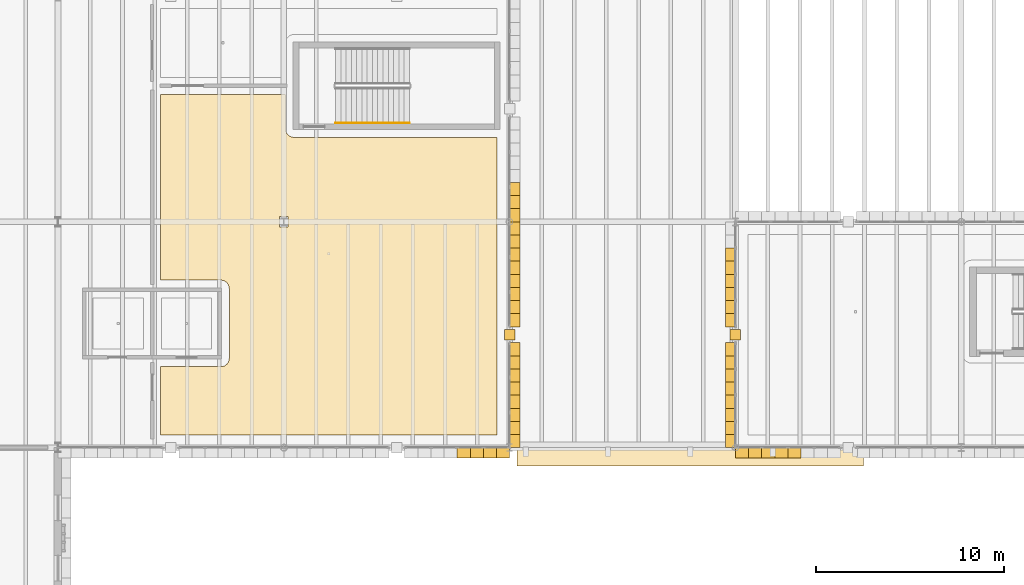
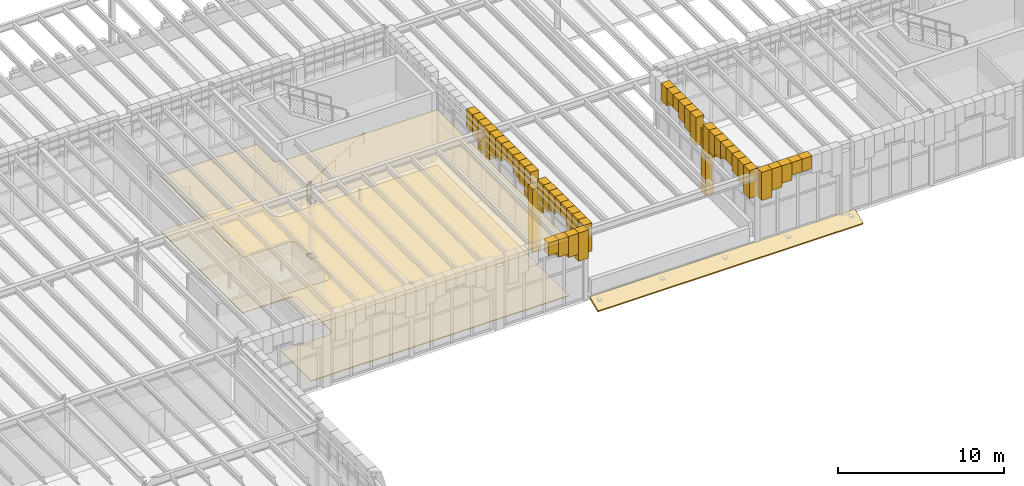
# One storey, part 79 of 100: 47 coverings, 1 railing.
"""IFC4 building model written with IfcOpenShell, lengths in metres."""

from ifc_helpers import new_model, si_unit, direction, frame, origin, origin_2d, place, context, subcontext, project, spatial, polyline, circle, outline, extrude, material, layer, layer_set, type_object, element, save


model = new_model("IFC4")

# Units and contexts
model_context = context("Model", 3, precision=1e-05, world=origin(), true_north=direction((0.0, 1.0)))
body_context = subcontext(model_context, "Body", "Model", "MODEL_VIEW")
ifc_project = project(units=[si_unit("LENGTHUNIT", "METRE"), si_unit("AREAUNIT", "SQUARE_METRE"), si_unit("VOLUMEUNIT", "CUBIC_METRE"), si_unit("PLANEANGLEUNIT", "RADIAN"), si_unit("MASSUNIT", "GRAM", prefix="KILO")], contexts=[model_context])

# Site, building, storey
site_placement = place(None, origin())
site = spatial("IfcSite", under=ifc_project, at=site_placement, CompositionType="ELEMENT")
building_placement = place(site_placement, origin())
building = spatial("IfcBuilding", under=site, at=building_placement, Name="Zlatogorsky Bluff Art Gallery", CompositionType="ELEMENT")
storey_placement = place(building_placement, frame((0.0, 0.0, 5.39990234375)))
storey = spatial("IfcBuildingStorey", under=building, at=storey_placement, Name="L01", CompositionType="ELEMENT", Elevation=5.39990234375)

# Coverings
ifc_material_1 = material(Name="Perforated Gypsum Acoustic Board", Category="gypsum")
ifc_layer_1 = layer(ifc_material_1, 0.0400390625)
ifc_layer_set_1 = layer_set([ifc_layer_1], Name="Acoustic Gallery Ceiling CLG-01")
covering_type_1 = type_object("IfcCoveringType", Name="Acoustic Gallery Ceiling CLG-01", PredefinedType="CEILING", material=ifc_layer_set_1)
covering_1_placement = place(storey_placement, frame((0.0, 0.0, 4.050048828125)))
element("IfcCovering", 1, at=covering_1_placement, inside=storey, type_object=covering_type_1, Name="Learning Centre Seminar Rooms acoustic ceiling", PredefinedType="CEILING", context=body_context, shape_type="SweptSolid", body=[
    extrude(outline(polyline([(32.64990234375, 88.300048828125), (32.694091796875, 88.30224609375), (32.73779296875, 88.30859375), (32.780517578125, 88.3193359375), (32.822265625, 88.334228515625), (32.862060546875, 88.35302734375), (32.89990234375, 88.375732421875), (32.935546875, 88.402099609375), (32.96826171875, 88.431884765625), (32.997802734375, 88.464599609375), (33.024169921875, 88.5), (33.046875, 88.537841796875), (33.065673828125, 88.577880859375), (33.08056640625, 88.619384765625), (33.09130859375, 88.662109375), (33.097900390625, 88.705810546875), (33.10009765625, 88.75), (33.10009765625, 92.449951171875), (33.097900390625, 92.494140625), (33.09130859375, 92.537841796875), (33.08056640625, 92.58056640625), (33.065673828125, 92.622314453125), (33.046875, 92.662109375), (33.024169921875, 92.699951171875), (32.997802734375, 92.735595703125), (32.96826171875, 92.768310546875), (32.935546875, 92.7978515625), (32.89990234375, 92.82421875), (32.862060546875, 92.846923828125), (32.822265625, 92.86572265625), (32.780517578125, 92.880615234375), (32.73779296875, 92.891357421875), (32.694091796875, 92.897705078125), (32.64990234375, 92.89990234375), (29.449951171875, 92.89990234375), (29.449951171875, 102.77490234375), (36.090087890625, 102.77490234375), (36.090087890625, 100.948974609375), (36.09228515625, 100.90478515625), (36.0986328125, 100.860595703125), (36.098876953125, 100.859619140625), (36.100830078125, 100.850341796875), (36.10107421875, 100.849609375), (36.113037109375, 100.80615234375), (36.129150390625, 100.764404296875), (36.129638671875, 100.763427734375), (36.1298828125, 100.762451171875), (36.147705078125, 100.726806640625), (36.148193359375, 100.725830078125), (36.16796875, 100.693603515625), (36.190185546875, 100.663330078125), (36.19140625, 100.661865234375), (36.224609375, 100.624755859375), (36.26171875, 100.591552734375), (36.26318359375, 100.59033203125), (36.293701171875, 100.568115234375), (36.325927734375, 100.54833984375), (36.326904296875, 100.5478515625), (36.362548828125, 100.530029296875), (36.3642578125, 100.529296875), (36.40625, 100.512939453125), (36.449462890625, 100.501220703125), (36.450439453125, 100.5009765625), (36.459716796875, 100.498779296875), (36.460693359375, 100.498779296875), (36.504638671875, 100.4921875), (36.549072265625, 100.489990234375), (47.330078125, 100.489990234375), (47.330078125, 84.669921875), (29.449951171875, 84.669921875), (29.449951171875, 88.300048828125), (32.64990234375, 88.300048828125)]), holes=[polyline([(35.77001953125, 95.719970703125), (36.22998046875, 95.719970703125), (36.22998046875, 96.280029296875), (35.77001953125, 96.280029296875), (35.77001953125, 95.719970703125)])]), origin(), (0.0, 0.0, 1.0), 0.0400390625),
])
ifc_material_2 = material(Name="Honed Red Agra-Tone Quartzitic Sandstone", Category="masonry")
ifc_layer_2 = layer(ifc_material_2, 0.1201171875)
ifc_layer_set_2 = layer_set([ifc_layer_2], Name="Carved Sandstone Cladding CLD-02")
covering_type_2 = type_object("IfcCoveringType", Name="Carved Sandstone Cladding CLD-02", PredefinedType="CLADDING", material=ifc_layer_set_2)
covering_2_placement = place(storey_placement, frame((0.0, 0.0, 4.424560546875)))
element("IfcCovering", 2, at=covering_2_placement, inside=storey, type_object=covering_type_2, Name="Pointed Mughal arch voussoir spandrel ARCH-CW-L01-S-03-08-B.5", PredefinedType="CLADDING", context=body_context, shape_type="SweptSolid", body=[
    extrude(outline(polyline([(45.2099609375, 83.4599609375), (45.907470703125, 83.4599609375), (45.907470703125, 84.030029296875), (45.2099609375, 84.030029296875), (45.2099609375, 83.4599609375)])), origin(), (0.0, 0.0, 1.0), 0.935546875),
])
covering_3_placement = place(storey_placement, frame((0.0, 0.0, 4.076416015625)))
element("IfcCovering", 3, at=covering_3_placement, inside=storey, type_object=covering_type_2, Name="Pointed Mughal arch voussoir spandrel ARCH-CW-L01-S-03-08-B.6", PredefinedType="CLADDING", context=body_context, shape_type="SweptSolid", body=[
    extrude(outline(polyline([(45.907470703125, 83.4599609375), (46.60498046875, 83.4599609375), (46.60498046875, 84.030029296875), (45.907470703125, 84.030029296875), (45.907470703125, 83.4599609375)])), origin(), (0.0, 0.0, 1.0), 1.28369140625),
])
covering_4_placement = place(storey_placement, frame((0.0, 0.0, 3.7998046875)))
element("IfcCovering", 4, at=covering_4_placement, inside=storey, type_object=covering_type_2, Name="Pointed Mughal arch voussoir spandrel ARCH-CW-L01-S-03-08-B.7", PredefinedType="CLADDING", context=body_context, shape_type="SweptSolid", body=[
    extrude(outline(polyline([(46.60498046875, 83.4599609375), (47.302490234375, 83.4599609375), (47.302490234375, 84.030029296875), (46.60498046875, 84.030029296875), (46.60498046875, 83.4599609375)])), origin(), (0.0, 0.0, 1.0), 1.560302734375),
])
covering_5_placement = place(storey_placement, frame((0.0, 0.0, 3.2978515625)))
element("IfcCovering", 5, at=covering_5_placement, inside=storey, type_object=covering_type_2, Name="Pointed Mughal arch voussoir spandrel ARCH-CW-L01-S-03-08-B.8", PredefinedType="CLADDING", context=body_context, shape_type="SweptSolid", body=[
    extrude(outline(polyline([(47.302490234375, 83.4599609375), (48.0, 83.4599609375), (48.0, 84.030029296875), (47.302490234375, 84.030029296875), (47.302490234375, 83.4599609375)])), origin(), (0.0, 0.0, 1.0), 2.062255859375),
])
covering_6_placement = place(storey_placement, frame((0.0, 0.0, -0.02978515625)))
element("IfcCovering", 6, at=covering_6_placement, inside=storey, type_object=covering_type_2, Name="Mughal dalan central sandstone pier L01 E 3.8", PredefinedType="CLADDING", context=body_context, shape_type="SweptSolid", body=[
    extrude(outline(polyline([(47.719970703125, 89.719970703125), (48.280029296875, 89.719970703125), (48.280029296875, 90.280029296875), (47.719970703125, 90.280029296875), (47.719970703125, 89.719970703125)])), origin(), (0.0, 0.0, 1.0), 4.659912109375),
])
covering_7_placement = place(storey_placement, frame((0.0, 0.0, 3.2978515625)))
element("IfcCovering", 7, at=covering_7_placement, inside=storey, type_object=covering_type_2, Name="Pointed Mughal arch voussoir spandrel ARCH-CW-L01-E-03-08-A.1", PredefinedType="CLADDING", context=body_context, shape_type="SweptSolid", body=[
    extrude(outline(polyline([(47.969970703125, 84.0), (47.969970703125, 84.697509765625), (48.5400390625, 84.697509765625), (48.5400390625, 84.0), (47.969970703125, 84.0)])), origin(), (0.0, 0.0, 1.0), 2.062255859375),
])
covering_8_placement = place(storey_placement, frame((0.0, 0.0, 3.7998046875)))
element("IfcCovering", 8, at=covering_8_placement, inside=storey, type_object=covering_type_2, Name="Pointed Mughal arch voussoir spandrel ARCH-CW-L01-E-03-08-A.2", PredefinedType="CLADDING", context=body_context, shape_type="SweptSolid", body=[
    extrude(outline(polyline([(47.969970703125, 84.697509765625), (47.969970703125, 85.39501953125), (48.5400390625, 85.39501953125), (48.5400390625, 84.697509765625), (47.969970703125, 84.697509765625)])), origin(), (0.0, 0.0, 1.0), 1.560302734375),
])
covering_9_placement = place(storey_placement, frame((0.0, 0.0, 4.076416015625)))
element("IfcCovering", 9, at=covering_9_placement, inside=storey, type_object=covering_type_2, Name="Pointed Mughal arch voussoir spandrel ARCH-CW-L01-E-03-08-A.3", PredefinedType="CLADDING", context=body_context, shape_type="SweptSolid", body=[
    extrude(outline(polyline([(47.969970703125, 85.39501953125), (47.969970703125, 86.092529296875), (48.5400390625, 86.092529296875), (48.5400390625, 85.39501953125), (47.969970703125, 85.39501953125)])), origin(), (0.0, 0.0, 1.0), 1.28369140625),
])
covering_10_placement = place(storey_placement, frame((0.0, 0.0, 4.424560546875)))
element("IfcCovering", 10, at=covering_10_placement, inside=storey, type_object=covering_type_2, Name="Pointed Mughal arch voussoir spandrel ARCH-CW-L01-E-03-08-A.4", PredefinedType="CLADDING", context=body_context, shape_type="SweptSolid", body=[
    extrude(outline(polyline([(47.969970703125, 86.092529296875), (47.969970703125, 86.7900390625), (48.5400390625, 86.7900390625), (48.5400390625, 86.092529296875), (47.969970703125, 86.092529296875)])), origin(), (0.0, 0.0, 1.0), 0.935546875),
])
covering_11_placement = place(storey_placement, frame((0.0, 0.0, 4.424560546875)))
element("IfcCovering", 11, at=covering_11_placement, inside=storey, type_object=covering_type_2, Name="Pointed Mughal arch voussoir spandrel ARCH-CW-L01-E-03-08-A.5", PredefinedType="CLADDING", context=body_context, shape_type="SweptSolid", body=[
    extrude(outline(polyline([(47.969970703125, 86.7900390625), (47.969970703125, 87.487548828125), (48.5400390625, 87.487548828125), (48.5400390625, 86.7900390625), (47.969970703125, 86.7900390625)])), origin(), (0.0, 0.0, 1.0), 0.935546875),
])
covering_12_placement = place(storey_placement, frame((0.0, 0.0, 4.076416015625)))
element("IfcCovering", 12, at=covering_12_placement, inside=storey, type_object=covering_type_2, Name="Pointed Mughal arch voussoir spandrel ARCH-CW-L01-E-03-08-A.6", PredefinedType="CLADDING", context=body_context, shape_type="SweptSolid", body=[
    extrude(outline(polyline([(47.969970703125, 87.487548828125), (47.969970703125, 88.18505859375), (48.5400390625, 88.18505859375), (48.5400390625, 87.487548828125), (47.969970703125, 87.487548828125)])), origin(), (0.0, 0.0, 1.0), 1.28369140625),
])
covering_13_placement = place(storey_placement, frame((0.0, 0.0, 3.7998046875)))
element("IfcCovering", 13, at=covering_13_placement, inside=storey, type_object=covering_type_2, Name="Pointed Mughal arch voussoir spandrel ARCH-CW-L01-E-03-08-A.7", PredefinedType="CLADDING", context=body_context, shape_type="SweptSolid", body=[
    extrude(outline(polyline([(47.969970703125, 88.18505859375), (47.969970703125, 88.882568359375), (48.5400390625, 88.882568359375), (48.5400390625, 88.18505859375), (47.969970703125, 88.18505859375)])), origin(), (0.0, 0.0, 1.0), 1.560302734375),
])
covering_14_placement = place(storey_placement, frame((0.0, 0.0, 3.2978515625)))
element("IfcCovering", 14, at=covering_14_placement, inside=storey, type_object=covering_type_2, Name="Pointed Mughal arch voussoir spandrel ARCH-CW-L01-E-03-08-A.8", PredefinedType="CLADDING", context=body_context, shape_type="SweptSolid", body=[
    extrude(outline(polyline([(47.969970703125, 88.882568359375), (47.969970703125, 89.580078125), (48.5400390625, 89.580078125), (48.5400390625, 88.882568359375), (47.969970703125, 88.882568359375)])), origin(), (0.0, 0.0, 1.0), 2.062255859375),
])
covering_15_placement = place(storey_placement, frame((0.0, 0.0, 3.2978515625)))
element("IfcCovering", 15, at=covering_15_placement, inside=storey, type_object=covering_type_2, Name="Pointed Mughal arch voussoir spandrel ARCH-CW-L01-E-03-08-B.1", PredefinedType="CLADDING", context=body_context, shape_type="SweptSolid", body=[
    extrude(outline(polyline([(47.969970703125, 90.419921875), (47.969970703125, 91.117431640625), (48.5400390625, 91.117431640625), (48.5400390625, 90.419921875), (47.969970703125, 90.419921875)])), origin(), (0.0, 0.0, 1.0), 2.062255859375),
])
covering_16_placement = place(storey_placement, frame((0.0, 0.0, 3.7998046875)))
element("IfcCovering", 16, at=covering_16_placement, inside=storey, type_object=covering_type_2, Name="Pointed Mughal arch voussoir spandrel ARCH-CW-L01-E-03-08-B.2", PredefinedType="CLADDING", context=body_context, shape_type="SweptSolid", body=[
    extrude(outline(polyline([(47.969970703125, 91.117431640625), (47.969970703125, 91.81494140625), (48.5400390625, 91.81494140625), (48.5400390625, 91.117431640625), (47.969970703125, 91.117431640625)])), origin(), (0.0, 0.0, 1.0), 1.560302734375),
])
covering_17_placement = place(storey_placement, frame((0.0, 0.0, 4.076416015625)))
element("IfcCovering", 17, at=covering_17_placement, inside=storey, type_object=covering_type_2, Name="Pointed Mughal arch voussoir spandrel ARCH-CW-L01-E-03-08-B.3", PredefinedType="CLADDING", context=body_context, shape_type="SweptSolid", body=[
    extrude(outline(polyline([(47.969970703125, 91.81494140625), (47.969970703125, 92.512451171875), (48.5400390625, 92.512451171875), (48.5400390625, 91.81494140625), (47.969970703125, 91.81494140625)])), origin(), (0.0, 0.0, 1.0), 1.28369140625),
])
covering_18_placement = place(storey_placement, frame((0.0, 0.0, 4.424560546875)))
element("IfcCovering", 18, at=covering_18_placement, inside=storey, type_object=covering_type_2, Name="Pointed Mughal arch voussoir spandrel ARCH-CW-L01-E-03-08-B.4", PredefinedType="CLADDING", context=body_context, shape_type="SweptSolid", body=[
    extrude(outline(polyline([(47.969970703125, 92.512451171875), (47.969970703125, 93.2099609375), (48.5400390625, 93.2099609375), (48.5400390625, 92.512451171875), (47.969970703125, 92.512451171875)])), origin(), (0.0, 0.0, 1.0), 0.935546875),
])
covering_19_placement = place(storey_placement, frame((0.0, 0.0, 4.424560546875)))
element("IfcCovering", 19, at=covering_19_placement, inside=storey, type_object=covering_type_2, Name="Pointed Mughal arch voussoir spandrel ARCH-CW-L01-E-03-08-B.5", PredefinedType="CLADDING", context=body_context, shape_type="SweptSolid", body=[
    extrude(outline(polyline([(47.969970703125, 93.2099609375), (47.969970703125, 93.907470703125), (48.5400390625, 93.907470703125), (48.5400390625, 93.2099609375), (47.969970703125, 93.2099609375)])), origin(), (0.0, 0.0, 1.0), 0.935546875),
])
covering_20_placement = place(storey_placement, frame((0.0, 0.0, 4.076416015625)))
element("IfcCovering", 20, at=covering_20_placement, inside=storey, type_object=covering_type_2, Name="Pointed Mughal arch voussoir spandrel ARCH-CW-L01-E-03-08-B.6", PredefinedType="CLADDING", context=body_context, shape_type="SweptSolid", body=[
    extrude(outline(polyline([(47.969970703125, 93.907470703125), (47.969970703125, 94.60498046875), (48.5400390625, 94.60498046875), (48.5400390625, 93.907470703125), (47.969970703125, 93.907470703125)])), origin(), (0.0, 0.0, 1.0), 1.28369140625),
])
covering_21_placement = place(storey_placement, frame((0.0, 0.0, 3.7998046875)))
element("IfcCovering", 21, at=covering_21_placement, inside=storey, type_object=covering_type_2, Name="Pointed Mughal arch voussoir spandrel ARCH-CW-L01-E-03-08-B.7", PredefinedType="CLADDING", context=body_context, shape_type="SweptSolid", body=[
    extrude(outline(polyline([(47.969970703125, 94.60498046875), (47.969970703125, 95.302490234375), (48.5400390625, 95.302490234375), (48.5400390625, 94.60498046875), (47.969970703125, 94.60498046875)])), origin(), (0.0, 0.0, 1.0), 1.560302734375),
])
covering_22_placement = place(storey_placement, frame((0.0, 0.0, 3.2978515625)))
element("IfcCovering", 22, at=covering_22_placement, inside=storey, type_object=covering_type_2, Name="Pointed Mughal arch voussoir spandrel ARCH-CW-L01-E-03-08-B.8", PredefinedType="CLADDING", context=body_context, shape_type="SweptSolid", body=[
    extrude(outline(polyline([(47.969970703125, 95.302490234375), (47.969970703125, 96.0), (48.5400390625, 96.0), (48.5400390625, 95.302490234375), (47.969970703125, 95.302490234375)])), origin(), (0.0, 0.0, 1.0), 2.062255859375),
])
covering_23_placement = place(storey_placement, frame((0.0, 0.0, 3.2978515625)))
element("IfcCovering", 23, at=covering_23_placement, inside=storey, type_object=covering_type_2, Name="Pointed Mughal arch voussoir spandrel ARCH-CW-L01-E-03-09-A.1", PredefinedType="CLADDING", context=body_context, shape_type="SweptSolid", body=[
    extrude(outline(polyline([(47.969970703125, 96.0), (47.969970703125, 96.697509765625), (48.5400390625, 96.697509765625), (48.5400390625, 96.0), (47.969970703125, 96.0)])), origin(), (0.0, 0.0, 1.0), 2.062255859375),
])
covering_24_placement = place(storey_placement, frame((0.0, 0.0, 3.7998046875)))
element("IfcCovering", 24, at=covering_24_placement, inside=storey, type_object=covering_type_2, Name="Pointed Mughal arch voussoir spandrel ARCH-CW-L01-E-03-09-A.2", PredefinedType="CLADDING", context=body_context, shape_type="SweptSolid", body=[
    extrude(outline(polyline([(47.969970703125, 96.697509765625), (47.969970703125, 97.39501953125), (48.5400390625, 97.39501953125), (48.5400390625, 96.697509765625), (47.969970703125, 96.697509765625)])), origin(), (0.0, 0.0, 1.0), 1.560302734375),
])
covering_25_placement = place(storey_placement, frame((0.0, 0.0, 4.076416015625)))
element("IfcCovering", 25, at=covering_25_placement, inside=storey, type_object=covering_type_2, Name="Pointed Mughal arch voussoir spandrel ARCH-CW-L01-E-03-09-A.3", PredefinedType="CLADDING", context=body_context, shape_type="SweptSolid", body=[
    extrude(outline(polyline([(47.969970703125, 97.39501953125), (47.969970703125, 98.092529296875), (48.5400390625, 98.092529296875), (48.5400390625, 97.39501953125), (47.969970703125, 97.39501953125)])), origin(), (0.0, 0.0, 1.0), 1.28369140625),
])
covering_26_placement = place(storey_placement, frame((0.0, 0.0, 3.2978515625)))
element("IfcCovering", 26, at=covering_26_placement, inside=storey, type_object=covering_type_2, Name="Pointed Mughal arch voussoir spandrel ARCH-CW-L01-S-05-08-A.1", PredefinedType="CLADDING", context=body_context, shape_type="SweptSolid", body=[
    extrude(outline(polyline([(60.0, 83.4599609375), (60.697509765625, 83.4599609375), (60.697509765625, 84.030029296875), (60.0, 84.030029296875), (60.0, 83.4599609375)])), origin(), (0.0, 0.0, 1.0), 2.062255859375),
])
covering_27_placement = place(storey_placement, frame((0.0, 0.0, 3.7998046875)))
element("IfcCovering", 27, at=covering_27_placement, inside=storey, type_object=covering_type_2, Name="Pointed Mughal arch voussoir spandrel ARCH-CW-L01-S-05-08-A.2", PredefinedType="CLADDING", context=body_context, shape_type="SweptSolid", body=[
    extrude(outline(polyline([(60.697509765625, 83.4599609375), (61.39501953125, 83.4599609375), (61.39501953125, 84.030029296875), (60.697509765625, 84.030029296875), (60.697509765625, 83.4599609375)])), origin(), (0.0, 0.0, 1.0), 1.560302734375),
])
covering_28_placement = place(storey_placement, frame((0.0, 0.0, 4.076416015625)))
element("IfcCovering", 28, at=covering_28_placement, inside=storey, type_object=covering_type_2, Name="Pointed Mughal arch voussoir spandrel ARCH-CW-L01-S-05-08-A.3", PredefinedType="CLADDING", context=body_context, shape_type="SweptSolid", body=[
    extrude(outline(polyline([(61.39501953125, 83.4599609375), (62.092529296875, 83.4599609375), (62.092529296875, 84.030029296875), (61.39501953125, 84.030029296875), (61.39501953125, 83.4599609375)])), origin(), (0.0, 0.0, 1.0), 1.28369140625),
])
covering_29_placement = place(storey_placement, frame((0.0, 0.0, 4.424560546875)))
element("IfcCovering", 29, at=covering_29_placement, inside=storey, type_object=covering_type_2, Name="Pointed Mughal arch voussoir spandrel ARCH-CW-L01-S-05-08-A.4", PredefinedType="CLADDING", context=body_context, shape_type="SweptSolid", body=[
    extrude(outline(polyline([(62.092529296875, 83.4599609375), (62.7900390625, 83.4599609375), (62.7900390625, 84.030029296875), (62.092529296875, 84.030029296875), (62.092529296875, 83.4599609375)])), origin(), (0.0, 0.0, 1.0), 0.935546875),
])
covering_30_placement = place(storey_placement, frame((0.0, 0.0, 4.424560546875)))
element("IfcCovering", 30, at=covering_30_placement, inside=storey, type_object=covering_type_2, Name="Pointed Mughal arch voussoir spandrel ARCH-CW-L01-S-05-08-A.5", PredefinedType="CLADDING", context=body_context, shape_type="SweptSolid", body=[
    extrude(outline(polyline([(62.7900390625, 83.4599609375), (63.487548828125, 83.4599609375), (63.487548828125, 84.030029296875), (62.7900390625, 84.030029296875), (62.7900390625, 83.4599609375)])), origin(), (0.0, 0.0, 1.0), 0.935546875),
])
covering_31_placement = place(storey_placement, frame((0.0, 0.0, -0.02978515625)))
element("IfcCovering", 31, at=covering_31_placement, inside=storey, type_object=covering_type_2, Name="Mughal dalan central sandstone pier L01 W 5.8", PredefinedType="CLADDING", context=body_context, shape_type="SweptSolid", body=[
    extrude(outline(polyline([(59.719970703125, 89.719970703125), (60.280029296875, 89.719970703125), (60.280029296875, 90.280029296875), (59.719970703125, 90.280029296875), (59.719970703125, 89.719970703125)])), origin(), (0.0, 0.0, 1.0), 4.659912109375),
])
covering_32_placement = place(storey_placement, frame((0.0, 0.0, 3.2978515625)))
element("IfcCovering", 32, at=covering_32_placement, inside=storey, type_object=covering_type_2, Name="Pointed Mughal arch voussoir spandrel ARCH-CW-L01-W-05-08-A.1", PredefinedType="CLADDING", context=body_context, shape_type="SweptSolid", body=[
    extrude(outline(polyline([(59.4599609375, 90.419921875), (59.4599609375, 91.117431640625), (60.030029296875, 91.117431640625), (60.030029296875, 90.419921875), (59.4599609375, 90.419921875)])), origin(), (0.0, 0.0, 1.0), 2.062255859375),
])
covering_33_placement = place(storey_placement, frame((0.0, 0.0, 3.7998046875)))
element("IfcCovering", 33, at=covering_33_placement, inside=storey, type_object=covering_type_2, Name="Pointed Mughal arch voussoir spandrel ARCH-CW-L01-W-05-08-A.2", PredefinedType="CLADDING", context=body_context, shape_type="SweptSolid", body=[
    extrude(outline(polyline([(59.4599609375, 91.117431640625), (59.4599609375, 91.81494140625), (60.030029296875, 91.81494140625), (60.030029296875, 91.117431640625), (59.4599609375, 91.117431640625)])), origin(), (0.0, 0.0, 1.0), 1.560302734375),
])
covering_34_placement = place(storey_placement, frame((0.0, 0.0, 4.076416015625)))
element("IfcCovering", 34, at=covering_34_placement, inside=storey, type_object=covering_type_2, Name="Pointed Mughal arch voussoir spandrel ARCH-CW-L01-W-05-08-A.3", PredefinedType="CLADDING", context=body_context, shape_type="SweptSolid", body=[
    extrude(outline(polyline([(59.4599609375, 91.81494140625), (59.4599609375, 92.512451171875), (60.030029296875, 92.512451171875), (60.030029296875, 91.81494140625), (59.4599609375, 91.81494140625)])), origin(), (0.0, 0.0, 1.0), 1.28369140625),
])
covering_35_placement = place(storey_placement, frame((0.0, 0.0, 4.424560546875)))
element("IfcCovering", 35, at=covering_35_placement, inside=storey, type_object=covering_type_2, Name="Pointed Mughal arch voussoir spandrel ARCH-CW-L01-W-05-08-A.4", PredefinedType="CLADDING", context=body_context, shape_type="SweptSolid", body=[
    extrude(outline(polyline([(59.4599609375, 92.512451171875), (59.4599609375, 93.2099609375), (60.030029296875, 93.2099609375), (60.030029296875, 92.512451171875), (59.4599609375, 92.512451171875)])), origin(), (0.0, 0.0, 1.0), 0.935546875),
])
covering_36_placement = place(storey_placement, frame((0.0, 0.0, 4.424560546875)))
element("IfcCovering", 36, at=covering_36_placement, inside=storey, type_object=covering_type_2, Name="Pointed Mughal arch voussoir spandrel ARCH-CW-L01-W-05-08-A.5", PredefinedType="CLADDING", context=body_context, shape_type="SweptSolid", body=[
    extrude(outline(polyline([(59.4599609375, 93.2099609375), (59.4599609375, 93.907470703125), (60.030029296875, 93.907470703125), (60.030029296875, 93.2099609375), (59.4599609375, 93.2099609375)])), origin(), (0.0, 0.0, 1.0), 0.935546875),
])
covering_37_placement = place(storey_placement, frame((0.0, 0.0, 4.076416015625)))
element("IfcCovering", 37, at=covering_37_placement, inside=storey, type_object=covering_type_2, Name="Pointed Mughal arch voussoir spandrel ARCH-CW-L01-W-05-08-A.6", PredefinedType="CLADDING", context=body_context, shape_type="SweptSolid", body=[
    extrude(outline(polyline([(59.4599609375, 93.907470703125), (59.4599609375, 94.60498046875), (60.030029296875, 94.60498046875), (60.030029296875, 93.907470703125), (59.4599609375, 93.907470703125)])), origin(), (0.0, 0.0, 1.0), 1.28369140625),
])
covering_38_placement = place(storey_placement, frame((0.0, 0.0, 3.2978515625)))
element("IfcCovering", 38, at=covering_38_placement, inside=storey, type_object=covering_type_2, Name="Pointed Mughal arch voussoir spandrel ARCH-CW-L01-W-05-08-B.1", PredefinedType="CLADDING", context=body_context, shape_type="SweptSolid", body=[
    extrude(outline(polyline([(59.4599609375, 84.0), (59.4599609375, 84.697509765625), (60.030029296875, 84.697509765625), (60.030029296875, 84.0), (59.4599609375, 84.0)])), origin(), (0.0, 0.0, 1.0), 2.062255859375),
])
covering_39_placement = place(storey_placement, frame((0.0, 0.0, 3.7998046875)))
element("IfcCovering", 39, at=covering_39_placement, inside=storey, type_object=covering_type_2, Name="Pointed Mughal arch voussoir spandrel ARCH-CW-L01-W-05-08-B.2", PredefinedType="CLADDING", context=body_context, shape_type="SweptSolid", body=[
    extrude(outline(polyline([(59.4599609375, 84.697509765625), (59.4599609375, 85.39501953125), (60.030029296875, 85.39501953125), (60.030029296875, 84.697509765625), (59.4599609375, 84.697509765625)])), origin(), (0.0, 0.0, 1.0), 1.560302734375),
])
covering_40_placement = place(storey_placement, frame((0.0, 0.0, 4.076416015625)))
element("IfcCovering", 40, at=covering_40_placement, inside=storey, type_object=covering_type_2, Name="Pointed Mughal arch voussoir spandrel ARCH-CW-L01-W-05-08-B.3", PredefinedType="CLADDING", context=body_context, shape_type="SweptSolid", body=[
    extrude(outline(polyline([(59.4599609375, 85.39501953125), (59.4599609375, 86.092529296875), (60.030029296875, 86.092529296875), (60.030029296875, 85.39501953125), (59.4599609375, 85.39501953125)])), origin(), (0.0, 0.0, 1.0), 1.28369140625),
])
covering_41_placement = place(storey_placement, frame((0.0, 0.0, 4.424560546875)))
element("IfcCovering", 41, at=covering_41_placement, inside=storey, type_object=covering_type_2, Name="Pointed Mughal arch voussoir spandrel ARCH-CW-L01-W-05-08-B.4", PredefinedType="CLADDING", context=body_context, shape_type="SweptSolid", body=[
    extrude(outline(polyline([(59.4599609375, 86.092529296875), (59.4599609375, 86.7900390625), (60.030029296875, 86.7900390625), (60.030029296875, 86.092529296875), (59.4599609375, 86.092529296875)])), origin(), (0.0, 0.0, 1.0), 0.935546875),
])
covering_42_placement = place(storey_placement, frame((0.0, 0.0, 4.424560546875)))
element("IfcCovering", 42, at=covering_42_placement, inside=storey, type_object=covering_type_2, Name="Pointed Mughal arch voussoir spandrel ARCH-CW-L01-W-05-08-B.5", PredefinedType="CLADDING", context=body_context, shape_type="SweptSolid", body=[
    extrude(outline(polyline([(59.4599609375, 86.7900390625), (59.4599609375, 87.487548828125), (60.030029296875, 87.487548828125), (60.030029296875, 86.7900390625), (59.4599609375, 86.7900390625)])), origin(), (0.0, 0.0, 1.0), 0.935546875),
])
covering_43_placement = place(storey_placement, frame((0.0, 0.0, 4.076416015625)))
element("IfcCovering", 43, at=covering_43_placement, inside=storey, type_object=covering_type_2, Name="Pointed Mughal arch voussoir spandrel ARCH-CW-L01-W-05-08-B.6", PredefinedType="CLADDING", context=body_context, shape_type="SweptSolid", body=[
    extrude(outline(polyline([(59.4599609375, 87.487548828125), (59.4599609375, 88.18505859375), (60.030029296875, 88.18505859375), (60.030029296875, 87.487548828125), (59.4599609375, 87.487548828125)])), origin(), (0.0, 0.0, 1.0), 1.28369140625),
])
covering_44_placement = place(storey_placement, frame((0.0, 0.0, 3.7998046875)))
element("IfcCovering", 44, at=covering_44_placement, inside=storey, type_object=covering_type_2, Name="Pointed Mughal arch voussoir spandrel ARCH-CW-L01-W-05-08-B.7", PredefinedType="CLADDING", context=body_context, shape_type="SweptSolid", body=[
    extrude(outline(polyline([(59.4599609375, 88.18505859375), (59.4599609375, 88.882568359375), (60.030029296875, 88.882568359375), (60.030029296875, 88.18505859375), (59.4599609375, 88.18505859375)])), origin(), (0.0, 0.0, 1.0), 1.560302734375),
])
covering_45_placement = place(storey_placement, frame((0.0, 0.0, 3.2978515625)))
element("IfcCovering", 45, at=covering_45_placement, inside=storey, type_object=covering_type_2, Name="Pointed Mughal arch voussoir spandrel ARCH-CW-L01-W-05-08-B.8", PredefinedType="CLADDING", context=body_context, shape_type="SweptSolid", body=[
    extrude(outline(polyline([(59.4599609375, 88.882568359375), (59.4599609375, 89.580078125), (60.030029296875, 89.580078125), (60.030029296875, 88.882568359375), (59.4599609375, 88.882568359375)])), origin(), (0.0, 0.0, 1.0), 2.062255859375),
])
covering_46_placement = place(storey_placement, frame((66.800048828125, 84.0400390625, -0.039794921875), z_axis=(0.0, -0.380872241927, 0.924627673893), x_axis=(-1.0, 0.0, 0.0)))
element("IfcCovering", 46, at=covering_46_placement, inside=storey, type_object=covering_type_2, Name="Projecting sloped Mughal chhajja stone eave CHJ-COURT-W-L01", PredefinedType="CLADDING", context=body_context, shape_type="SweptSolid", body=[
    extrude(outline(polyline([(0.0, 0.0), (18.400146484375, 0.0), (18.400146484375, 1.1031678588581422), (0.0, 1.1031678588581422), (0.0, 0.0)])), origin(), (0.0, 0.0, -1.0), 0.139892578125),
])

# Railing
ifc_material_3 = material(Name="Brushed Stainless Steel", Category="steel")
railing_type = type_object("IfcRailingType", Name="Stair Pitch Handrail 900mm", PredefinedType="HANDRAIL", material=ifc_material_3)
railing_placement = place(storey_placement, frame((38.75, 101.25, 0.18017578125)))
element("IfcRailing", 47, at=railing_placement, inside=storey, type_object=railing_type, Name="L01 ST-07 stair handrail 1", PredefinedType="HANDRAIL", context=body_context, shape_type="SweptSolid", body=[
    extrude(circle(Radius=0.02392578125, at=origin_2d()), frame((0.0, 0.0, 0.8759765625), z_axis=(0.841171666519, 0.0, 0.540768182723), x_axis=(0.0, 1.0, 0.0)), (0.0, 0.0, 1.0), 4.66015625),
    extrude(circle(Radius=0.02099609375, at=origin_2d()), origin(), (0.0, 0.0, 1.0), 0.851806640625),
    extrude(circle(Radius=0.02099609375, at=origin_2d()), frame((0.97998046875, 0.0, 0.6298828125)), (0.0, 0.0, 1.0), 0.851806640625),
    extrude(circle(Radius=0.02099609375, at=origin_2d()), frame((1.9599609375, 0.0, 1.260009765625)), (0.0, 0.0, 1.0), 0.851806640625),
    extrude(circle(Radius=0.02099609375, at=origin_2d()), frame((2.93994140625, 0.0, 1.89013671875)), (0.0, 0.0, 1.0), 0.851806640625),
    extrude(circle(Radius=0.02099609375, at=origin_2d()), frame((3.919921875, 0.0, 2.52001953125)), (0.0, 0.0, 1.0), 0.851806640625),
])

# Covering
ifc_material_4 = material(Name="Polished Ural Marble Terrazzo", Category="masonry")
ifc_layer_3 = layer(ifc_material_4, 0.050048828125)
ifc_layer_set_3 = layer_set([ifc_layer_3], Name="Terrazzo Gallery Flooring FLR-01")
covering_type_3 = type_object("IfcCoveringType", Name="Terrazzo Gallery Flooring FLR-01", PredefinedType="FLOORING", material=ifc_layer_set_3)
covering_47_placement = place(storey_placement, origin())
element("IfcCovering", 48, at=covering_47_placement, inside=storey, type_object=covering_type_3, Name="Learning Centre Seminar Rooms terrazzo floor finish", PredefinedType="FLOORING", context=body_context, shape_type="SweptSolid", body=[
    extrude(outline(polyline([(32.64990234375, 88.300048828125), (32.694091796875, 88.30224609375), (32.73779296875, 88.30859375), (32.780517578125, 88.3193359375), (32.822265625, 88.334228515625), (32.862060546875, 88.35302734375), (32.89990234375, 88.375732421875), (32.935546875, 88.402099609375), (32.96826171875, 88.431884765625), (32.997802734375, 88.464599609375), (33.024169921875, 88.5), (33.046875, 88.537841796875), (33.065673828125, 88.577880859375), (33.08056640625, 88.619384765625), (33.09130859375, 88.662109375), (33.097900390625, 88.705810546875), (33.10009765625, 88.75), (33.10009765625, 92.449951171875), (33.097900390625, 92.494140625), (33.09130859375, 92.537841796875), (33.08056640625, 92.58056640625), (33.065673828125, 92.622314453125), (33.046875, 92.662109375), (33.024169921875, 92.699951171875), (32.997802734375, 92.735595703125), (32.96826171875, 92.768310546875), (32.935546875, 92.7978515625), (32.89990234375, 92.82421875), (32.862060546875, 92.846923828125), (32.822265625, 92.86572265625), (32.780517578125, 92.880615234375), (32.73779296875, 92.891357421875), (32.694091796875, 92.897705078125), (32.64990234375, 92.89990234375), (29.449951171875, 92.89990234375), (29.449951171875, 102.77490234375), (36.090087890625, 102.77490234375), (36.090087890625, 100.948974609375), (36.09228515625, 100.90478515625), (36.0986328125, 100.860595703125), (36.098876953125, 100.859619140625), (36.100830078125, 100.850341796875), (36.10107421875, 100.849609375), (36.113037109375, 100.80615234375), (36.129150390625, 100.764404296875), (36.129638671875, 100.763427734375), (36.1298828125, 100.762451171875), (36.147705078125, 100.726806640625), (36.148193359375, 100.725830078125), (36.16796875, 100.693603515625), (36.190185546875, 100.663330078125), (36.19140625, 100.661865234375), (36.224609375, 100.624755859375), (36.26171875, 100.591552734375), (36.26318359375, 100.59033203125), (36.293701171875, 100.568115234375), (36.325927734375, 100.54833984375), (36.326904296875, 100.5478515625), (36.362548828125, 100.530029296875), (36.3642578125, 100.529296875), (36.40625, 100.512939453125), (36.449462890625, 100.501220703125), (36.450439453125, 100.5009765625), (36.459716796875, 100.498779296875), (36.460693359375, 100.498779296875), (36.504638671875, 100.4921875), (36.549072265625, 100.489990234375), (47.330078125, 100.489990234375), (47.330078125, 84.669921875), (29.449951171875, 84.669921875), (29.449951171875, 88.300048828125), (32.64990234375, 88.300048828125)]), holes=[polyline([(35.77001953125, 95.719970703125), (36.22998046875, 95.719970703125), (36.22998046875, 96.280029296875), (35.77001953125, 96.280029296875), (35.77001953125, 95.719970703125)])]), origin(), (0.0, 0.0, 1.0), 0.050048828125),
])

save(model, "model.ifc")
